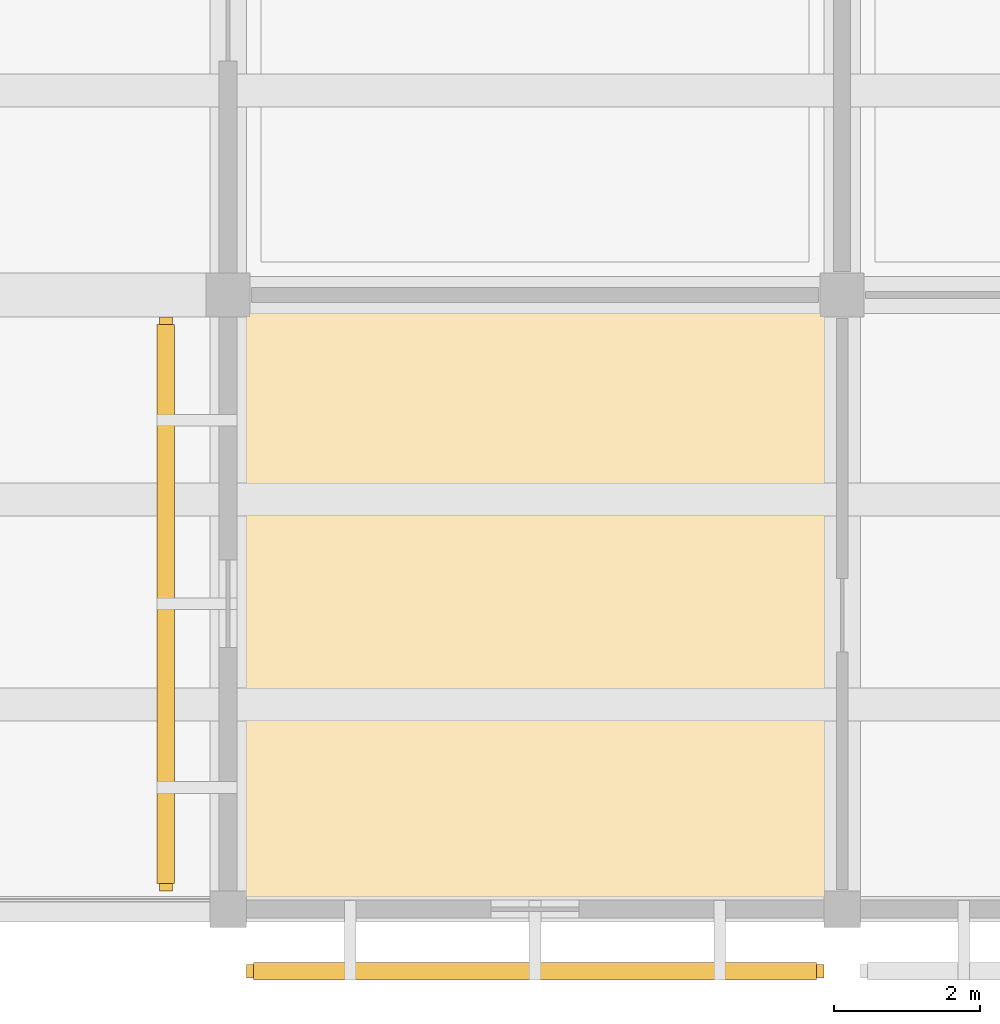
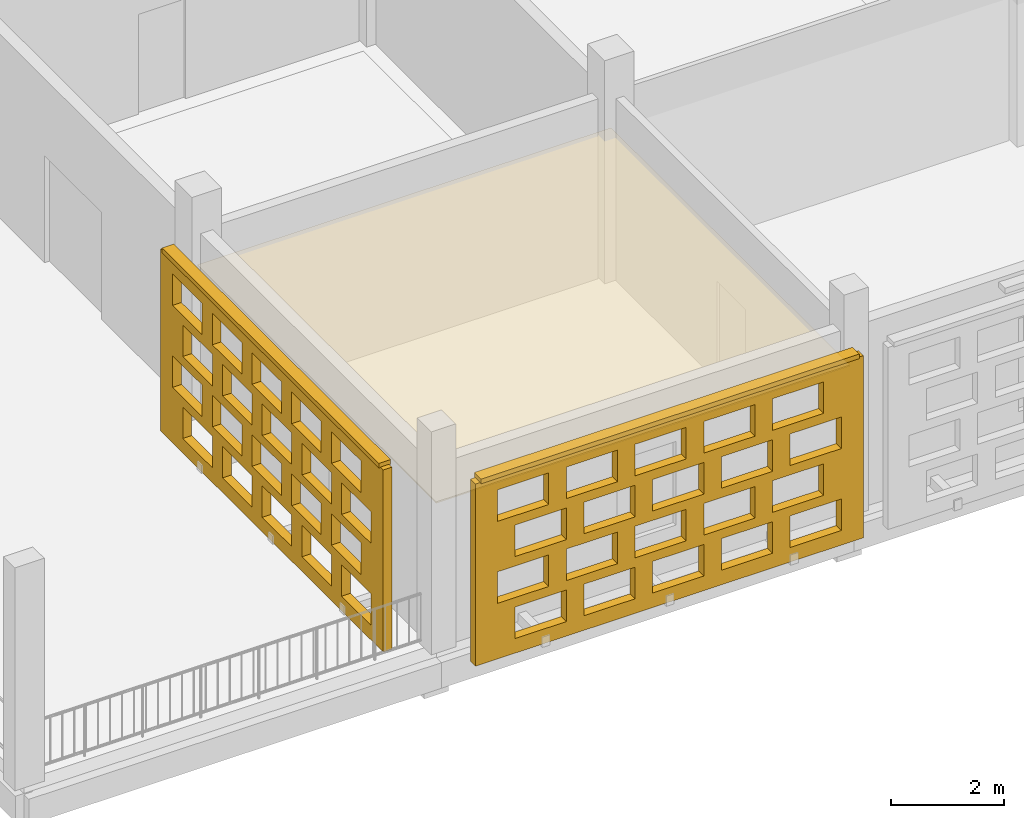
# One storey, part 110 of 129: 3 coverings, 2 shading devices, 40 openings.
"""IFC4 building model written with IfcOpenShell, lengths in metres."""

from ifc_helpers import new_model, si_unit, direction, frame, frame_2d, origin, origin_2d, place, context, subcontext, project, spatial, rectangle, extrude, material, layer, layer_set, type_object, element, save


model = new_model("IFC4")

# Units and contexts
model_context = context("Model", 3, precision=1e-05, world=origin(), true_north=direction((0.0, 1.0)))
body_context = subcontext(model_context, "Body", "Model", "MODEL_VIEW")
ifc_project = project(units=[si_unit("LENGTHUNIT", "METRE"), si_unit("AREAUNIT", "SQUARE_METRE"), si_unit("VOLUMEUNIT", "CUBIC_METRE"), si_unit("PLANEANGLEUNIT", "RADIAN"), si_unit("MASSUNIT", "GRAM", prefix="KILO")], contexts=[model_context])

# Site, building, storey
site_placement = place(None, origin())
site = spatial("IfcSite", under=ifc_project, at=site_placement, CompositionType="ELEMENT")
building_placement = place(site_placement, origin())
building = spatial("IfcBuilding", under=site, at=building_placement, Name="Varnapada Polytechnic", CompositionType="ELEMENT")
storey_placement = place(building_placement, origin())
storey = spatial("IfcBuildingStorey", under=building, at=storey_placement, Name="L00", CompositionType="ELEMENT", Elevation=0.0)

# Covering
ifc_material_1 = material(Name="Moisture-Resistant Aluminum Baffle Ceiling", Category="aluminium")
ifc_layer_1 = layer(ifc_material_1, 0.030029296875)
ifc_layer_set_1 = layer_set([ifc_layer_1], Name="Moisture-Resistant Aluminum Baffle Ceiling")
covering_type_1 = type_object("IfcCoveringType", Name="Suspended Ceiling CLG-03", PredefinedType="CEILING", material=ifc_layer_set_1)
covering_1_placement = place(storey_placement, frame((138.60009765625, 4.199951171875, 3.03515625), z_axis=(0.0, 0.0, 1.0), x_axis=(1.0, 0.0, 0.0)))
element("IfcCovering", 1, at=covering_1_placement, inside=storey, type_object=covering_type_1, Name="L00 suspended acoustic ceiling (17,1)", PredefinedType="CEILING", context=body_context, shape_type="SweptSolid", body=[
    extrude(rectangle(XDim=8.419921875, YDim=8.419921875, at=origin_2d()), origin(), (0.0, 0.0, 1.0), 0.030029296875),
])

# Covering, openings
ifc_material_2 = material(Name="Earth-toned architectural terracotta screen block", Category="masonry")
ifc_layer_2 = layer(ifc_material_2, 0.1201171875)
ifc_layer_set_2 = layer_set([ifc_layer_2], Name="Earth-toned architectural terracotta screen block")
covering_type_2 = type_object("IfcCoveringType", Name="Terracotta Screen Cladding CLD-01", PredefinedType="CLADDING", material=ifc_layer_set_2)
covering_2_placement = place(storey_placement, frame((142.550048828125, -0.85009765625, 0.0), z_axis=(0.0, 0.0, 1.0), x_axis=(-1.0, 0.0, 0.0)))
covering_2 = element("IfcCovering", 2, at=covering_2_placement, inside=storey, type_object=covering_type_2, Name="L00 perforated terracotta block screen (81)", PredefinedType="CLADDING", context=body_context, shape_type="SweptSolid", body=[
    extrude(rectangle(XDim=7.900146484375, YDim=0.179931640625, at=frame_2d((3.9501953125, 0.0))), origin(), (0.0, 0.0, 1.0), 3.919921875),
])
opening_1_placement = place(covering_2_placement, frame((0.449951171875, 0.0, 0.313720703125)))
element("IfcOpeningElement", 3, at=opening_1_placement, cuts=covering_2, Name="Screen perforation TBS-L00-080.1", PredefinedType="OPENING", context=body_context, shape_type="SweptSolid", body=[
    extrude(rectangle(XDim=1.0400390625, YDim=0.679931640625, at=frame_2d((0.52001953125, 0.33984375))), frame((0.0, 0.099853515625, 0.0), z_axis=(0.0, -1.0, 0.0), x_axis=(1.0, 0.0, 0.0)), (0.0, 0.0, 1.0), 0.199951171875),
])
opening_2_placement = place(covering_2_placement, frame((1.85009765625, 0.0, 0.313720703125)))
element("IfcOpeningElement", 4, at=opening_2_placement, cuts=covering_2, Name="Screen perforation TBS-L00-080.2", PredefinedType="OPENING", context=body_context, shape_type="SweptSolid", body=[
    extrude(rectangle(XDim=1.0400390625, YDim=0.679931640625, at=frame_2d((0.52001953125, 0.33984375))), frame((0.0, 0.099853515625, 0.0), z_axis=(0.0, -1.0, 0.0), x_axis=(1.0, 0.0, 0.0)), (0.0, 0.0, 1.0), 0.199951171875),
])
opening_3_placement = place(covering_2_placement, frame((3.25, 0.0, 0.313720703125)))
element("IfcOpeningElement", 5, at=opening_3_placement, cuts=covering_2, Name="Screen perforation TBS-L00-080.3", PredefinedType="OPENING", context=body_context, shape_type="SweptSolid", body=[
    extrude(rectangle(XDim=1.0400390625, YDim=0.679931640625, at=frame_2d((0.52001953125, 0.33984375))), frame((0.0, 0.099853515625, 0.0), z_axis=(0.0, -1.0, 0.0), x_axis=(1.0, 0.0, 0.0)), (0.0, 0.0, 1.0), 0.199951171875),
])
opening_4_placement = place(covering_2_placement, frame((4.64990234375, 0.0, 0.313720703125)))
element("IfcOpeningElement", 6, at=opening_4_placement, cuts=covering_2, Name="Screen perforation TBS-L00-080.4", PredefinedType="OPENING", context=body_context, shape_type="SweptSolid", body=[
    extrude(rectangle(XDim=1.0400390625, YDim=0.679931640625, at=frame_2d((0.52001953125, 0.33984375))), frame((0.0, 0.099853515625, 0.0), z_axis=(0.0, -1.0, 0.0), x_axis=(1.0, 0.0, 0.0)), (0.0, 0.0, 1.0), 0.199951171875),
])
opening_5_placement = place(covering_2_placement, frame((6.050048828125, 0.0, 0.313720703125)))
element("IfcOpeningElement", 7, at=opening_5_placement, cuts=covering_2, Name="Screen perforation TBS-L00-080.5", PredefinedType="OPENING", context=body_context, shape_type="SweptSolid", body=[
    extrude(rectangle(XDim=1.0400390625, YDim=0.679931640625, at=frame_2d((0.52001953125, 0.33984375))), frame((0.0, 0.099853515625, 0.0), z_axis=(0.0, -1.0, 0.0), x_axis=(1.0, 0.0, 0.0)), (0.0, 0.0, 1.0), 0.199951171875),
])
opening_6_placement = place(covering_2_placement, frame((0.81005859375, 0.0, 1.195556640625)))
element("IfcOpeningElement", 8, at=opening_6_placement, cuts=covering_2, Name="Screen perforation TBS-L00-080.6", PredefinedType="OPENING", context=body_context, shape_type="SweptSolid", body=[
    extrude(rectangle(XDim=1.0400390625, YDim=0.679931640625, at=frame_2d((0.52001953125, 0.33984375))), frame((0.0, 0.099853515625, 0.0), z_axis=(0.0, -1.0, 0.0), x_axis=(1.0, 0.0, 0.0)), (0.0, 0.0, 1.0), 0.199951171875),
])
opening_7_placement = place(covering_2_placement, frame((2.2099609375, 0.0, 1.195556640625)))
element("IfcOpeningElement", 9, at=opening_7_placement, cuts=covering_2, Name="Screen perforation TBS-L00-080.7", PredefinedType="OPENING", context=body_context, shape_type="SweptSolid", body=[
    extrude(rectangle(XDim=1.0400390625, YDim=0.679931640625, at=frame_2d((0.52001953125, 0.33984375))), frame((0.0, 0.099853515625, 0.0), z_axis=(0.0, -1.0, 0.0), x_axis=(1.0, 0.0, 0.0)), (0.0, 0.0, 1.0), 0.199951171875),
])
opening_8_placement = place(covering_2_placement, frame((3.610107421875, 0.0, 1.195556640625)))
element("IfcOpeningElement", 10, at=opening_8_placement, cuts=covering_2, Name="Screen perforation TBS-L00-080.8", PredefinedType="OPENING", context=body_context, shape_type="SweptSolid", body=[
    extrude(rectangle(XDim=1.0400390625, YDim=0.679931640625, at=frame_2d((0.52001953125, 0.33984375))), frame((0.0, 0.099853515625, 0.0), z_axis=(0.0, -1.0, 0.0), x_axis=(1.0, 0.0, 0.0)), (0.0, 0.0, 1.0), 0.199951171875),
])
opening_9_placement = place(covering_2_placement, frame((5.010009765625, 0.0, 1.195556640625)))
element("IfcOpeningElement", 11, at=opening_9_placement, cuts=covering_2, Name="Screen perforation TBS-L00-080.9", PredefinedType="OPENING", context=body_context, shape_type="SweptSolid", body=[
    extrude(rectangle(XDim=1.0400390625, YDim=0.679931640625, at=frame_2d((0.52001953125, 0.33984375))), frame((0.0, 0.099853515625, 0.0), z_axis=(0.0, -1.0, 0.0), x_axis=(1.0, 0.0, 0.0)), (0.0, 0.0, 1.0), 0.199951171875),
])
opening_10_placement = place(covering_2_placement, frame((6.409912109375, 0.0, 1.195556640625)))
element("IfcOpeningElement", 12, at=opening_10_placement, cuts=covering_2, Name="Screen perforation TBS-L00-080.10", PredefinedType="OPENING", context=body_context, shape_type="SweptSolid", body=[
    extrude(rectangle(XDim=1.0400390625, YDim=0.679931640625, at=frame_2d((0.52001953125, 0.33984375))), frame((0.0, 0.099853515625, 0.0), z_axis=(0.0, -1.0, 0.0), x_axis=(1.0, 0.0, 0.0)), (0.0, 0.0, 1.0), 0.199951171875),
])
opening_11_placement = place(covering_2_placement, frame((0.449951171875, 0.0, 2.07763671875)))
element("IfcOpeningElement", 13, at=opening_11_placement, cuts=covering_2, Name="Screen perforation TBS-L00-080.11", PredefinedType="OPENING", context=body_context, shape_type="SweptSolid", body=[
    extrude(rectangle(XDim=1.0400390625, YDim=0.679931640625, at=frame_2d((0.52001953125, 0.33984375))), frame((0.0, 0.099853515625, 0.0), z_axis=(0.0, -1.0, 0.0), x_axis=(1.0, 0.0, 0.0)), (0.0, 0.0, 1.0), 0.199951171875),
])
opening_12_placement = place(covering_2_placement, frame((1.85009765625, 0.0, 2.07763671875)))
element("IfcOpeningElement", 14, at=opening_12_placement, cuts=covering_2, Name="Screen perforation TBS-L00-080.12", PredefinedType="OPENING", context=body_context, shape_type="SweptSolid", body=[
    extrude(rectangle(XDim=1.0400390625, YDim=0.679931640625, at=frame_2d((0.52001953125, 0.33984375))), frame((0.0, 0.099853515625, 0.0), z_axis=(0.0, -1.0, 0.0), x_axis=(1.0, 0.0, 0.0)), (0.0, 0.0, 1.0), 0.199951171875),
])
opening_13_placement = place(covering_2_placement, frame((3.25, 0.0, 2.07763671875)))
element("IfcOpeningElement", 15, at=opening_13_placement, cuts=covering_2, Name="Screen perforation TBS-L00-080.13", PredefinedType="OPENING", context=body_context, shape_type="SweptSolid", body=[
    extrude(rectangle(XDim=1.0400390625, YDim=0.679931640625, at=frame_2d((0.52001953125, 0.33984375))), frame((0.0, 0.099853515625, 0.0), z_axis=(0.0, -1.0, 0.0), x_axis=(1.0, 0.0, 0.0)), (0.0, 0.0, 1.0), 0.199951171875),
])
opening_14_placement = place(covering_2_placement, frame((4.64990234375, 0.0, 2.07763671875)))
element("IfcOpeningElement", 16, at=opening_14_placement, cuts=covering_2, Name="Screen perforation TBS-L00-080.14", PredefinedType="OPENING", context=body_context, shape_type="SweptSolid", body=[
    extrude(rectangle(XDim=1.0400390625, YDim=0.679931640625, at=frame_2d((0.52001953125, 0.33984375))), frame((0.0, 0.099853515625, 0.0), z_axis=(0.0, -1.0, 0.0), x_axis=(1.0, 0.0, 0.0)), (0.0, 0.0, 1.0), 0.199951171875),
])
opening_15_placement = place(covering_2_placement, frame((6.050048828125, 0.0, 2.07763671875)))
element("IfcOpeningElement", 17, at=opening_15_placement, cuts=covering_2, Name="Screen perforation TBS-L00-080.15", PredefinedType="OPENING", context=body_context, shape_type="SweptSolid", body=[
    extrude(rectangle(XDim=1.0400390625, YDim=0.679931640625, at=frame_2d((0.52001953125, 0.33984375))), frame((0.0, 0.099853515625, 0.0), z_axis=(0.0, -1.0, 0.0), x_axis=(1.0, 0.0, 0.0)), (0.0, 0.0, 1.0), 0.199951171875),
])
opening_16_placement = place(covering_2_placement, frame((0.81005859375, 0.0, 2.959716796875)))
element("IfcOpeningElement", 18, at=opening_16_placement, cuts=covering_2, Name="Screen perforation TBS-L00-080.16", PredefinedType="OPENING", context=body_context, shape_type="SweptSolid", body=[
    extrude(rectangle(XDim=1.0400390625, YDim=0.679931640625, at=frame_2d((0.52001953125, 0.33984375))), frame((0.0, 0.099853515625, 0.0), z_axis=(0.0, -1.0, 0.0), x_axis=(1.0, 0.0, 0.0)), (0.0, 0.0, 1.0), 0.199951171875),
])
opening_17_placement = place(covering_2_placement, frame((2.2099609375, 0.0, 2.959716796875)))
element("IfcOpeningElement", 19, at=opening_17_placement, cuts=covering_2, Name="Screen perforation TBS-L00-080.17", PredefinedType="OPENING", context=body_context, shape_type="SweptSolid", body=[
    extrude(rectangle(XDim=1.0400390625, YDim=0.679931640625, at=frame_2d((0.52001953125, 0.33984375))), frame((0.0, 0.099853515625, 0.0), z_axis=(0.0, -1.0, 0.0), x_axis=(1.0, 0.0, 0.0)), (0.0, 0.0, 1.0), 0.199951171875),
])
opening_18_placement = place(covering_2_placement, frame((3.610107421875, 0.0, 2.959716796875)))
element("IfcOpeningElement", 20, at=opening_18_placement, cuts=covering_2, Name="Screen perforation TBS-L00-080.18", PredefinedType="OPENING", context=body_context, shape_type="SweptSolid", body=[
    extrude(rectangle(XDim=1.0400390625, YDim=0.679931640625, at=frame_2d((0.52001953125, 0.33984375))), frame((0.0, 0.099853515625, 0.0), z_axis=(0.0, -1.0, 0.0), x_axis=(1.0, 0.0, 0.0)), (0.0, 0.0, 1.0), 0.199951171875),
])
opening_19_placement = place(covering_2_placement, frame((5.010009765625, 0.0, 2.959716796875)))
element("IfcOpeningElement", 21, at=opening_19_placement, cuts=covering_2, Name="Screen perforation TBS-L00-080.19", PredefinedType="OPENING", context=body_context, shape_type="SweptSolid", body=[
    extrude(rectangle(XDim=1.0400390625, YDim=0.679931640625, at=frame_2d((0.52001953125, 0.33984375))), frame((0.0, 0.099853515625, 0.0), z_axis=(0.0, -1.0, 0.0), x_axis=(1.0, 0.0, 0.0)), (0.0, 0.0, 1.0), 0.199951171875),
])
opening_20_placement = place(covering_2_placement, frame((6.409912109375, 0.0, 2.959716796875)))
element("IfcOpeningElement", 22, at=opening_20_placement, cuts=covering_2, Name="Screen perforation TBS-L00-080.20", PredefinedType="OPENING", context=body_context, shape_type="SweptSolid", body=[
    extrude(rectangle(XDim=1.0400390625, YDim=0.679931640625, at=frame_2d((0.52001953125, 0.33984375))), frame((0.0, 0.099853515625, 0.0), z_axis=(0.0, -1.0, 0.0), x_axis=(1.0, 0.0, 0.0)), (0.0, 0.0, 1.0), 0.199951171875),
])

covering_3_placement = place(storey_placement, frame((133.550048828125, 0.25, 0.0), z_axis=(0.0, 0.0, 1.0), x_axis=(0.0, 1.0, 0.0)))
covering_3 = element("IfcCovering", 23, at=covering_3_placement, inside=storey, type_object=covering_type_2, Name="L00 perforated terracotta block screen (82)", PredefinedType="CLADDING", context=body_context, shape_type="SweptSolid", body=[
    extrude(rectangle(XDim=7.85009765625, YDim=0.179931640625, at=frame_2d((3.925048828125, 0.0))), origin(), (0.0, 0.0, 1.0), 3.919921875),
])
opening_21_placement = place(covering_3_placement, frame((0.425048828125, 0.0, 0.313720703125)))
element("IfcOpeningElement", 24, at=opening_21_placement, cuts=covering_3, Name="Screen perforation TBS-L00-081.1", PredefinedType="OPENING", context=body_context, shape_type="SweptSolid", body=[
    extrude(rectangle(XDim=1.0400390625, YDim=0.679931640625, at=frame_2d((0.52001953125, 0.33984375))), frame((0.0, 0.099853515625, 0.0), z_axis=(0.0, -1.0, 0.0), x_axis=(1.0, 0.0, 0.0)), (0.0, 0.0, 1.0), 0.199951171875),
])
opening_22_placement = place(covering_3_placement, frame((1.824951171875, 0.0, 0.313720703125)))
element("IfcOpeningElement", 25, at=opening_22_placement, cuts=covering_3, Name="Screen perforation TBS-L00-081.2", PredefinedType="OPENING", context=body_context, shape_type="SweptSolid", body=[
    extrude(rectangle(XDim=1.0400390625, YDim=0.679931640625, at=frame_2d((0.52001953125, 0.33984375))), frame((0.0, 0.099853515625, 0.0), z_axis=(0.0, -1.0, 0.0), x_axis=(1.0, 0.0, 0.0)), (0.0, 0.0, 1.0), 0.199951171875),
])
opening_23_placement = place(covering_3_placement, frame((3.22509765625, 0.0, 0.313720703125)))
element("IfcOpeningElement", 26, at=opening_23_placement, cuts=covering_3, Name="Screen perforation TBS-L00-081.3", PredefinedType="OPENING", context=body_context, shape_type="SweptSolid", body=[
    extrude(rectangle(XDim=1.0400390625, YDim=0.679931640625, at=frame_2d((0.52001953125, 0.33984375))), frame((0.0, 0.099853515625, 0.0), z_axis=(0.0, -1.0, 0.0), x_axis=(1.0, 0.0, 0.0)), (0.0, 0.0, 1.0), 0.199951171875),
])
opening_24_placement = place(covering_3_placement, frame((4.625, 0.0, 0.313720703125)))
element("IfcOpeningElement", 27, at=opening_24_placement, cuts=covering_3, Name="Screen perforation TBS-L00-081.4", PredefinedType="OPENING", context=body_context, shape_type="SweptSolid", body=[
    extrude(rectangle(XDim=1.0400390625, YDim=0.679931640625, at=frame_2d((0.52001953125, 0.33984375))), frame((0.0, 0.099853515625, 0.0), z_axis=(0.0, -1.0, 0.0), x_axis=(1.0, 0.0, 0.0)), (0.0, 0.0, 1.0), 0.199951171875),
])
opening_25_placement = place(covering_3_placement, frame((6.02490234375, 0.0, 0.313720703125)))
element("IfcOpeningElement", 28, at=opening_25_placement, cuts=covering_3, Name="Screen perforation TBS-L00-081.5", PredefinedType="OPENING", context=body_context, shape_type="SweptSolid", body=[
    extrude(rectangle(XDim=1.0400390625, YDim=0.679931640625, at=frame_2d((0.52001953125, 0.33984375))), frame((0.0, 0.099853515625, 0.0), z_axis=(0.0, -1.0, 0.0), x_axis=(1.0, 0.0, 0.0)), (0.0, 0.0, 1.0), 0.199951171875),
])
opening_26_placement = place(covering_3_placement, frame((0.784912109375, 0.0, 1.195556640625)))
element("IfcOpeningElement", 29, at=opening_26_placement, cuts=covering_3, Name="Screen perforation TBS-L00-081.6", PredefinedType="OPENING", context=body_context, shape_type="SweptSolid", body=[
    extrude(rectangle(XDim=1.0400390625, YDim=0.679931640625, at=frame_2d((0.52001953125, 0.33984375))), frame((0.0, 0.099853515625, 0.0), z_axis=(0.0, -1.0, 0.0), x_axis=(1.0, 0.0, 0.0)), (0.0, 0.0, 1.0), 0.199951171875),
])
opening_27_placement = place(covering_3_placement, frame((2.18505859375, 0.0, 1.195556640625)))
element("IfcOpeningElement", 30, at=opening_27_placement, cuts=covering_3, Name="Screen perforation TBS-L00-081.7", PredefinedType="OPENING", context=body_context, shape_type="SweptSolid", body=[
    extrude(rectangle(XDim=1.0400390625, YDim=0.679931640625, at=frame_2d((0.52001953125, 0.33984375))), frame((0.0, 0.099853515625, 0.0), z_axis=(0.0, -1.0, 0.0), x_axis=(1.0, 0.0, 0.0)), (0.0, 0.0, 1.0), 0.199951171875),
])
opening_28_placement = place(covering_3_placement, frame((3.5849609375, 0.0, 1.195556640625)))
element("IfcOpeningElement", 31, at=opening_28_placement, cuts=covering_3, Name="Screen perforation TBS-L00-081.8", PredefinedType="OPENING", context=body_context, shape_type="SweptSolid", body=[
    extrude(rectangle(XDim=1.0400390625, YDim=0.679931640625, at=frame_2d((0.52001953125, 0.33984375))), frame((0.0, 0.099853515625, 0.0), z_axis=(0.0, -1.0, 0.0), x_axis=(1.0, 0.0, 0.0)), (0.0, 0.0, 1.0), 0.199951171875),
])
opening_29_placement = place(covering_3_placement, frame((4.985107421875, 0.0, 1.195556640625)))
element("IfcOpeningElement", 32, at=opening_29_placement, cuts=covering_3, Name="Screen perforation TBS-L00-081.9", PredefinedType="OPENING", context=body_context, shape_type="SweptSolid", body=[
    extrude(rectangle(XDim=1.0400390625, YDim=0.679931640625, at=frame_2d((0.52001953125, 0.33984375))), frame((0.0, 0.099853515625, 0.0), z_axis=(0.0, -1.0, 0.0), x_axis=(1.0, 0.0, 0.0)), (0.0, 0.0, 1.0), 0.199951171875),
])
opening_30_placement = place(covering_3_placement, frame((6.385009765625, 0.0, 1.195556640625)))
element("IfcOpeningElement", 33, at=opening_30_placement, cuts=covering_3, Name="Screen perforation TBS-L00-081.10", PredefinedType="OPENING", context=body_context, shape_type="SweptSolid", body=[
    extrude(rectangle(XDim=1.0400390625, YDim=0.679931640625, at=frame_2d((0.52001953125, 0.33984375))), frame((0.0, 0.099853515625, 0.0), z_axis=(0.0, -1.0, 0.0), x_axis=(1.0, 0.0, 0.0)), (0.0, 0.0, 1.0), 0.199951171875),
])
opening_31_placement = place(covering_3_placement, frame((0.425048828125, 0.0, 2.07763671875)))
element("IfcOpeningElement", 34, at=opening_31_placement, cuts=covering_3, Name="Screen perforation TBS-L00-081.11", PredefinedType="OPENING", context=body_context, shape_type="SweptSolid", body=[
    extrude(rectangle(XDim=1.0400390625, YDim=0.679931640625, at=frame_2d((0.52001953125, 0.33984375))), frame((0.0, 0.099853515625, 0.0), z_axis=(0.0, -1.0, 0.0), x_axis=(1.0, 0.0, 0.0)), (0.0, 0.0, 1.0), 0.199951171875),
])
opening_32_placement = place(covering_3_placement, frame((1.824951171875, 0.0, 2.07763671875)))
element("IfcOpeningElement", 35, at=opening_32_placement, cuts=covering_3, Name="Screen perforation TBS-L00-081.12", PredefinedType="OPENING", context=body_context, shape_type="SweptSolid", body=[
    extrude(rectangle(XDim=1.0400390625, YDim=0.679931640625, at=frame_2d((0.52001953125, 0.33984375))), frame((0.0, 0.099853515625, 0.0), z_axis=(0.0, -1.0, 0.0), x_axis=(1.0, 0.0, 0.0)), (0.0, 0.0, 1.0), 0.199951171875),
])
opening_33_placement = place(covering_3_placement, frame((3.22509765625, 0.0, 2.07763671875)))
element("IfcOpeningElement", 36, at=opening_33_placement, cuts=covering_3, Name="Screen perforation TBS-L00-081.13", PredefinedType="OPENING", context=body_context, shape_type="SweptSolid", body=[
    extrude(rectangle(XDim=1.0400390625, YDim=0.679931640625, at=frame_2d((0.52001953125, 0.33984375))), frame((0.0, 0.099853515625, 0.0), z_axis=(0.0, -1.0, 0.0), x_axis=(1.0, 0.0, 0.0)), (0.0, 0.0, 1.0), 0.199951171875),
])
opening_34_placement = place(covering_3_placement, frame((4.625, 0.0, 2.07763671875)))
element("IfcOpeningElement", 37, at=opening_34_placement, cuts=covering_3, Name="Screen perforation TBS-L00-081.14", PredefinedType="OPENING", context=body_context, shape_type="SweptSolid", body=[
    extrude(rectangle(XDim=1.0400390625, YDim=0.679931640625, at=frame_2d((0.52001953125, 0.33984375))), frame((0.0, 0.099853515625, 0.0), z_axis=(0.0, -1.0, 0.0), x_axis=(1.0, 0.0, 0.0)), (0.0, 0.0, 1.0), 0.199951171875),
])
opening_35_placement = place(covering_3_placement, frame((6.02490234375, 0.0, 2.07763671875)))
element("IfcOpeningElement", 38, at=opening_35_placement, cuts=covering_3, Name="Screen perforation TBS-L00-081.15", PredefinedType="OPENING", context=body_context, shape_type="SweptSolid", body=[
    extrude(rectangle(XDim=1.0400390625, YDim=0.679931640625, at=frame_2d((0.52001953125, 0.33984375))), frame((0.0, 0.099853515625, 0.0), z_axis=(0.0, -1.0, 0.0), x_axis=(1.0, 0.0, 0.0)), (0.0, 0.0, 1.0), 0.199951171875),
])
opening_36_placement = place(covering_3_placement, frame((0.784912109375, 0.0, 2.959716796875)))
element("IfcOpeningElement", 39, at=opening_36_placement, cuts=covering_3, Name="Screen perforation TBS-L00-081.16", PredefinedType="OPENING", context=body_context, shape_type="SweptSolid", body=[
    extrude(rectangle(XDim=1.0400390625, YDim=0.679931640625, at=frame_2d((0.52001953125, 0.33984375))), frame((0.0, 0.099853515625, 0.0), z_axis=(0.0, -1.0, 0.0), x_axis=(1.0, 0.0, 0.0)), (0.0, 0.0, 1.0), 0.199951171875),
])
opening_37_placement = place(covering_3_placement, frame((2.18505859375, 0.0, 2.959716796875)))
element("IfcOpeningElement", 40, at=opening_37_placement, cuts=covering_3, Name="Screen perforation TBS-L00-081.17", PredefinedType="OPENING", context=body_context, shape_type="SweptSolid", body=[
    extrude(rectangle(XDim=1.0400390625, YDim=0.679931640625, at=frame_2d((0.52001953125, 0.33984375))), frame((0.0, 0.099853515625, 0.0), z_axis=(0.0, -1.0, 0.0), x_axis=(1.0, 0.0, 0.0)), (0.0, 0.0, 1.0), 0.199951171875),
])
opening_38_placement = place(covering_3_placement, frame((3.5849609375, 0.0, 2.959716796875)))
element("IfcOpeningElement", 41, at=opening_38_placement, cuts=covering_3, Name="Screen perforation TBS-L00-081.18", PredefinedType="OPENING", context=body_context, shape_type="SweptSolid", body=[
    extrude(rectangle(XDim=1.0400390625, YDim=0.679931640625, at=frame_2d((0.52001953125, 0.33984375))), frame((0.0, 0.099853515625, 0.0), z_axis=(0.0, -1.0, 0.0), x_axis=(1.0, 0.0, 0.0)), (0.0, 0.0, 1.0), 0.199951171875),
])
opening_39_placement = place(covering_3_placement, frame((4.985107421875, 0.0, 2.959716796875)))
element("IfcOpeningElement", 42, at=opening_39_placement, cuts=covering_3, Name="Screen perforation TBS-L00-081.19", PredefinedType="OPENING", context=body_context, shape_type="SweptSolid", body=[
    extrude(rectangle(XDim=1.0400390625, YDim=0.679931640625, at=frame_2d((0.52001953125, 0.33984375))), frame((0.0, 0.099853515625, 0.0), z_axis=(0.0, -1.0, 0.0), x_axis=(1.0, 0.0, 0.0)), (0.0, 0.0, 1.0), 0.199951171875),
])
opening_40_placement = place(covering_3_placement, frame((6.385009765625, 0.0, 2.959716796875)))
element("IfcOpeningElement", 43, at=opening_40_placement, cuts=covering_3, Name="Screen perforation TBS-L00-081.20", PredefinedType="OPENING", context=body_context, shape_type="SweptSolid", body=[
    extrude(rectangle(XDim=1.0400390625, YDim=0.679931640625, at=frame_2d((0.52001953125, 0.33984375))), frame((0.0, 0.099853515625, 0.0), z_axis=(0.0, -1.0, 0.0), x_axis=(1.0, 0.0, 0.0)), (0.0, 0.0, 1.0), 0.199951171875),
])

# Shading devices
ifc_layer_3 = layer(ifc_material_2, 0.179931640625)
ifc_layer_set_3 = layer_set([ifc_layer_3], Name="Earth-toned architectural terracotta screen block")
shading_device_type = type_object("IfcShadingDeviceType", Name="Terracotta Screen SCR-02", PredefinedType="USERDEFINED", material=ifc_layer_set_3)
shading_device_1_placement = place(storey_placement, frame((138.60009765625, -0.85009765625, 3.909912109375), z_axis=(0.0, 0.0, 1.0), x_axis=(-1.0, 0.0, 0.0)))
element("IfcShadingDevice", 44, at=shading_device_1_placement, inside=storey, type_object=shading_device_type, Name="L00 perforated terracotta screen hood 55", ObjectType="SCREEN", PredefinedType="USERDEFINED", context=body_context, shape_type="SweptSolid", body=[
    extrude(rectangle(XDim=7.699951171875, YDim=0.239990234375, at=origin_2d()), origin(), (0.0, 0.0, 1.0), 0.10009765625),
])
shading_device_2_placement = place(storey_placement, frame((133.550048828125, 4.175048828125, 3.909912109375), z_axis=(0.0, 0.0, 1.0), x_axis=(0.0, 1.0, 0.0)))
element("IfcShadingDevice", 45, at=shading_device_2_placement, inside=storey, type_object=shading_device_type, Name="L00 perforated terracotta screen hood 56", ObjectType="SCREEN", PredefinedType="USERDEFINED", context=body_context, shape_type="SweptSolid", body=[
    extrude(rectangle(XDim=7.64990234375, YDim=0.239990234375, at=origin_2d()), origin(), (0.0, 0.0, 1.0), 0.10009765625),
])

save(model, "model.ifc")
